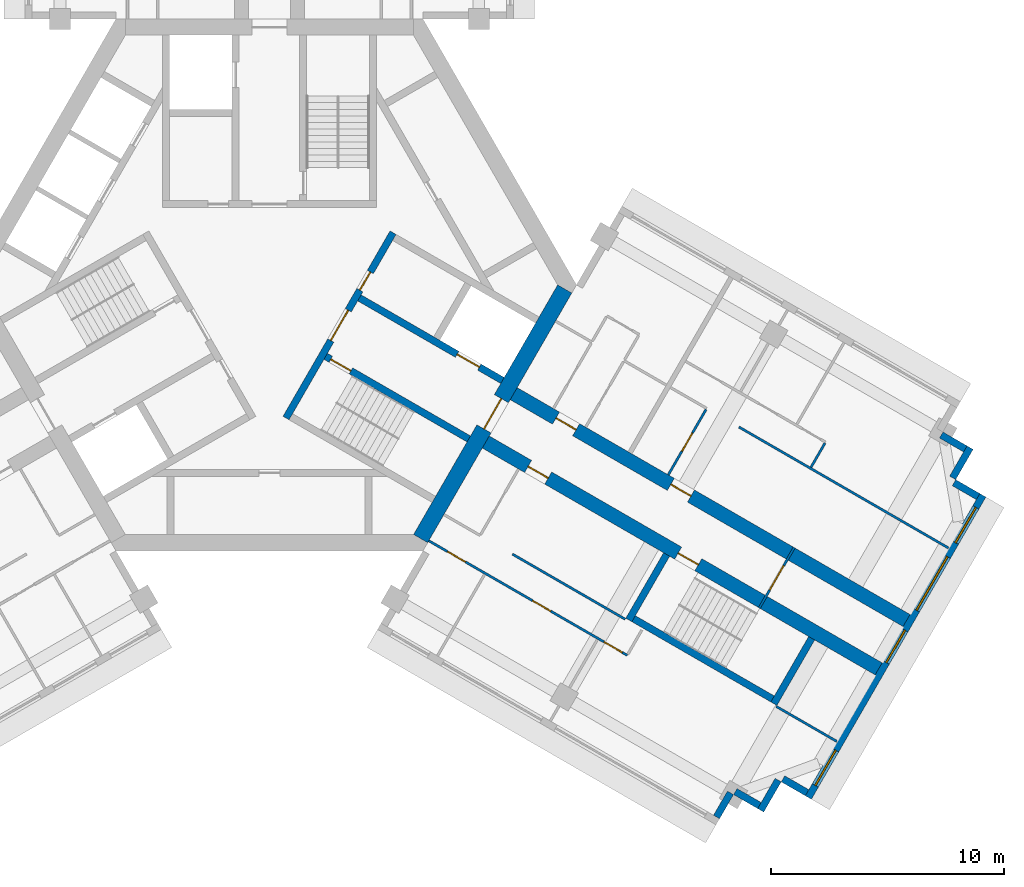
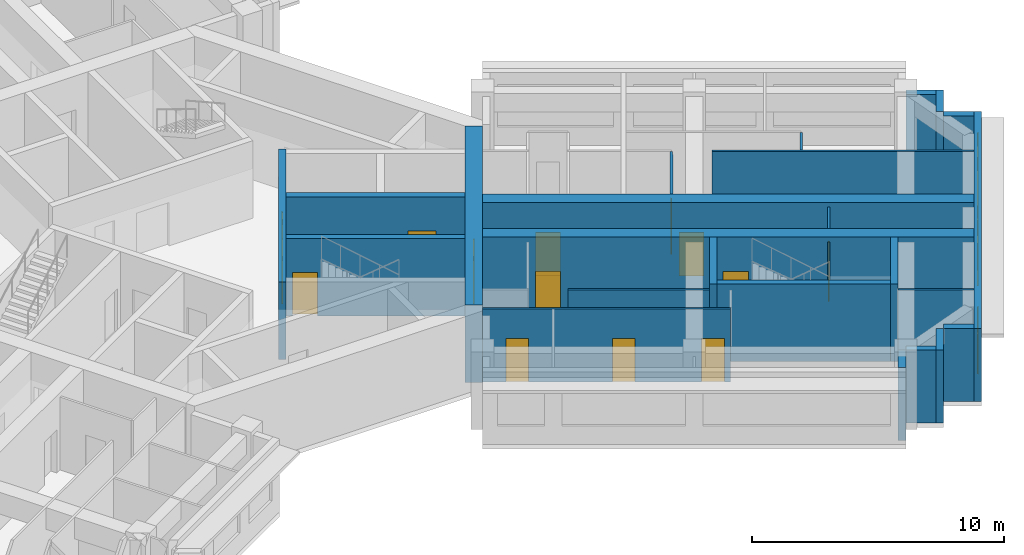
# One storey, part 5 of 10: 24 walls, 14 doors, 4 windows, 18 openings.
"""IFC4 building model written with IfcOpenShell, lengths in metres."""

from ifc_helpers import new_model, si_unit, direction, frame, frame_2d, origin, place, context, subcontext, project, spatial, rectangle, extrude, material, layer, layer_set, type_object, element, fill, save


model = new_model("IFC4")

# Units and contexts
model_context = context("Model", 3, precision=1e-05, world=origin(), true_north=direction((0.0, 1.0)))
body_context = subcontext(model_context, "Body", "Model", "MODEL_VIEW")
ifc_project = project(units=[si_unit("LENGTHUNIT", "METRE"), si_unit("AREAUNIT", "SQUARE_METRE"), si_unit("VOLUMEUNIT", "CUBIC_METRE"), si_unit("PLANEANGLEUNIT", "RADIAN"), si_unit("MASSUNIT", "GRAM", prefix="KILO")], contexts=[model_context])

# Site, building, storey
site_placement = place(None, origin())
site = spatial("IfcSite", under=ifc_project, at=site_placement, CompositionType="ELEMENT")
building_placement = place(site_placement, origin())
building = spatial("IfcBuilding", under=site, at=building_placement, Name="Impinga Residences", CompositionType="ELEMENT")
storey_placement = place(building_placement, frame((0.0, 0.0, 263.5)))
storey = spatial("IfcBuildingStorey", under=building, at=storey_placement, Name="L66", CompositionType="ELEMENT", Elevation=263.5)

# Wall, openings, doors
ifc_material_1 = material(Name="Concrete C60/75", Category="concrete")
ifc_layer_1 = layer(ifc_material_1, 0.60009765625)
ifc_layer_set_1 = layer_set([ifc_layer_1], Name="Concrete C60/75")
wall_type_1 = type_object("IfcWallType", Name="BW3 corridor buttress wall, L46 to L73 600", PredefinedType="SHEAR", material=ifc_layer_set_1)
wall_1_placement = place(storey_placement, frame((10.19677734375, -4.50146484375, 0.0), z_axis=(0.0, 0.0, 1.0), x_axis=(0.866025214745, -0.500000327426, 0.0)))
wall_1 = element("IfcWall", 1, at=wall_1_placement, inside=storey, type_object=wall_type_1, Name="Corridor wall BW3 EC L66", PredefinedType="SHEAR", context=body_context, shape_type="SweptSolid", body=[
    extrude(rectangle(XDim=19.85009765625, YDim=0.60009765625, at=frame_2d((9.925048828125, 0.0))), origin(), (0.0, 0.0, 1.0), 3.75),
])
opening_1_placement = place(wall_1_placement, frame((2.449951171875, 0.0, 0.0)))
opening_1 = element("IfcOpeningElement", 2, at=opening_1_placement, cuts=wall_1, Name="Opening D1", PredefinedType="OPENING", context=body_context, shape_type="SweptSolid", body=[
    extrude(rectangle(XDim=1.0, YDim=2.10009765625, at=frame_2d((0.5, 1.050048828125))), frame((0.0, 0.31005859375, 0.0), z_axis=(0.0, -1.0, 0.0), x_axis=(1.0, 0.0, 0.0)), (0.0, 0.0, 1.0), 0.6201171875),
])
opening_2_placement = place(wall_1_placement, frame((8.14990234375, 0.0, 0.0)))
opening_2 = element("IfcOpeningElement", 3, at=opening_2_placement, cuts=wall_1, Name="Opening D1", PredefinedType="OPENING", context=body_context, shape_type="SweptSolid", body=[
    extrude(rectangle(XDim=1.0, YDim=2.10009765625, at=frame_2d((0.5, 1.050048828125))), frame((0.0, 0.31005859375, 0.0), z_axis=(0.0, -1.0, 0.0), x_axis=(1.0, 0.0, 0.0)), (0.0, 0.0, 1.0), 0.6201171875),
])
ifc_material_2 = material(Name="Timber door set", Category="wood")
door_type_1 = type_object("IfcDoorType", Name="D1 apartment entrance door 1000x2100", OperationType="SINGLE_SWING_LEFT", PredefinedType="DOOR", material=ifc_material_2)
door_1_placement = place(opening_1_placement, origin())
door_1 = element("IfcDoor", 4, at=door_1_placement, inside=storey, type_object=door_type_1, Name="Apartment L66-EA1 entrance", OperationType="SINGLE_SWING_LEFT", OverallHeight=2.10009765625, OverallWidth=1.0, PredefinedType="DOOR", context=body_context, shape_type="SweptSolid", body=[
    extrude(rectangle(XDim=1.0, YDim=2.10009765625, at=frame_2d((0.5, 1.050048828125))), frame((0.0, 0.02490234375, 0.0), z_axis=(0.0, -1.0, 0.0), x_axis=(1.0, 0.0, 0.0)), (0.0, 0.0, 1.0), 0.050048828125),
])
fill(opening_1, door_1)
door_2_placement = place(opening_2_placement, origin())
door_2 = element("IfcDoor", 5, at=door_2_placement, inside=storey, type_object=door_type_1, Name="Apartment L66-EA2 entrance", OperationType="SINGLE_SWING_LEFT", OverallHeight=2.10009765625, OverallWidth=1.0, PredefinedType="DOOR", context=body_context, shape_type="SweptSolid", body=[
    extrude(rectangle(XDim=1.0, YDim=2.10009765625, at=frame_2d((0.5, 1.050048828125))), frame((0.0, 0.02490234375, 0.0), z_axis=(0.0, -1.0, 0.0), x_axis=(1.0, 0.0, 0.0)), (0.0, 0.0, 1.0), 0.050048828125),
])
fill(opening_2, door_2)

wall_2_placement = place(storey_placement, frame((8.996826171875, -6.580078125, 0.0), z_axis=(0.0, 0.0, 1.0), x_axis=(0.866030540451, -0.499991102927, 0.0)))
wall_2 = element("IfcWall", 6, at=wall_2_placement, inside=storey, type_object=wall_type_1, Name="Corridor wall BW3 ED L66", PredefinedType="SHEAR", context=body_context, shape_type="SweptSolid", body=[
    extrude(rectangle(XDim=19.849853515625, YDim=0.60009765625, at=frame_2d((9.9248046875, 0.0))), origin(), (0.0, 0.0, 1.0), 3.75),
])
opening_3_placement = place(wall_2_placement, frame((9.89990234375, 0.0, 0.0)))
opening_3 = element("IfcOpeningElement", 7, at=opening_3_placement, cuts=wall_2, Name="Opening D5", PredefinedType="OPENING", context=body_context, shape_type="SweptSolid", body=[
    extrude(rectangle(XDim=1.0, YDim=2.10009765625, at=frame_2d((0.5, 1.050048828125))), frame((0.0, 0.31005859375, 0.0), z_axis=(0.0, -1.0, 0.0), x_axis=(1.0, 0.0, 0.0)), (0.0, 0.0, 1.0), 0.6201171875),
])
opening_4_placement = place(wall_2_placement, frame((2.449951171875, 0.0, 0.0)))
opening_4 = element("IfcOpeningElement", 8, at=opening_4_placement, cuts=wall_2, Name="Opening D1", PredefinedType="OPENING", context=body_context, shape_type="SweptSolid", body=[
    extrude(rectangle(XDim=1.0, YDim=2.10009765625, at=frame_2d((0.5, 1.050048828125))), frame((0.0, 0.31005859375, 0.0), z_axis=(0.0, -1.0, 0.0), x_axis=(1.0, 0.0, 0.0)), (0.0, 0.0, 1.0), 0.6201171875),
])
door_3_placement = place(opening_4_placement, origin())
door_3 = element("IfcDoor", 9, at=door_3_placement, inside=storey, type_object=door_type_1, Name="Apartment L66-EF1 entrance", OperationType="SINGLE_SWING_LEFT", OverallHeight=2.10009765625, OverallWidth=1.0, PredefinedType="DOOR", context=body_context, shape_type="SweptSolid", body=[
    extrude(rectangle(XDim=1.0, YDim=2.10009765625, at=frame_2d((0.5, 1.050048828125))), frame((0.0, 0.02490234375, 0.0), z_axis=(0.0, -1.0, 0.0), x_axis=(1.0, 0.0, 0.0)), (0.0, 0.0, 1.0), 0.050048828125),
])
fill(opening_4, door_3)
door_type_2 = type_object("IfcDoorType", Name="D5 stair door 1000x2100", OperationType="SINGLE_SWING_LEFT", PredefinedType="DOOR", material=ifc_material_2)
door_4_placement = place(opening_3_placement, origin())
door_4 = element("IfcDoor", 10, at=door_4_placement, inside=storey, type_object=door_type_2, Name="Wing stair door E", OperationType="SINGLE_SWING_RIGHT", OverallHeight=2.10009765625, OverallWidth=1.0, PredefinedType="DOOR", context=body_context, shape_type="SweptSolid", body=[
    extrude(rectangle(XDim=1.0, YDim=2.10009765625, at=frame_2d((0.5, 1.050048828125))), frame((0.0, 0.02490234375, 0.0), z_axis=(0.0, -1.0, 0.0), x_axis=(1.0, 0.0, 0.0)), (0.0, 0.0, 1.0), 0.050048828125),
])
fill(opening_3, door_4)

# Wall, opening, door
ifc_material_3 = material(Name="Concrete blockwork", Category="masonry")
ifc_layer_2 = layer(ifc_material_3, 0.10009765625)
ifc_layer_set_2 = layer_set([ifc_layer_2], Name="CP1 core room partition, blockwork 100")
wall_type_2 = type_object("IfcWallType", Name="CP1 core room partition, blockwork 100", PredefinedType="PARTITIONING", material=ifc_layer_set_2)
wall_3_placement = place(storey_placement, frame((22.557861328125, -11.291748046875, 0.0), z_axis=(0.0, 0.0, 1.0), x_axis=(-0.499990139034, -0.866031096941, 0.0)))
wall_3 = element("IfcWall", 11, at=wall_3_placement, inside=storey, type_object=wall_type_2, Name="Core room partition, blockwork L66:E:LNG", PredefinedType="PARTITIONING", context=body_context, shape_type="SweptSolid", body=[
    extrude(rectangle(XDim=3.0, YDim=0.10009765625, at=frame_2d((1.5, 0.0))), origin(), (0.0, 0.0, 1.0), 3.530029296875),
])
opening_5_placement = place(wall_3_placement, frame((0.89990234375, 0.0, 0.0)))
opening_5 = element("IfcOpeningElement", 12, at=opening_5_placement, cuts=wall_3, Name="Opening D3", PredefinedType="OPENING", context=body_context, shape_type="SweptSolid", body=[
    extrude(rectangle(XDim=1.199951171875, YDim=2.10009765625, at=frame_2d((0.60009765625, 1.050048828125))), frame((0.0, 0.06005859375, 0.0), z_axis=(0.0, -1.0, 0.0), x_axis=(1.0, 0.0, 0.0)), (0.0, 0.0, 1.0), 0.1201171875),
])
door_type_3 = type_object("IfcDoorType", Name="D3 room door, leaf and a half 1200x2100", OperationType="DOUBLE_SWING_LEFT", PredefinedType="DOOR", material=ifc_material_2)
door_5_placement = place(opening_5_placement, origin())
door_5 = element("IfcDoor", 13, at=door_5_placement, inside=storey, type_object=door_type_3, Name="Residents' lounge door E", OperationType="DOUBLE_SWING_LEFT", OverallHeight=2.10009765625, OverallWidth=1.199951171875, PredefinedType="DOOR", context=body_context, shape_type="SweptSolid", body=[
    extrude(rectangle(XDim=1.199951171875, YDim=2.10009765625, at=frame_2d((0.60009765625, 1.050048828125))), frame((0.0, 0.02490234375, 0.0), z_axis=(0.0, -1.0, 0.0), x_axis=(1.0, 0.0, 0.0)), (0.0, 0.0, 1.0), 0.050048828125),
])
fill(opening_5, door_5)

# Walls
ifc_material_4 = material(Name="Terracotta rainscreen on blockwork", Category="masonry")
ifc_layer_3 = layer(ifc_material_4, 0.300048828125)
ifc_layer_set_3 = layer_set([ifc_layer_3], Name="EW1 external wall, terracotta rainscreen on blockwork 300")
wall_type_3 = type_object("IfcWallType", Name="EW1 external wall, terracotta rainscreen on blockwork 300", PredefinedType="SOLIDWALL", material=ifc_layer_set_3)
wall_4_placement = place(storey_placement, frame((28.878662109375, -6.453857421875, 0.0), z_axis=(0.0, 0.0, 1.0), x_axis=(0.865971243484, -0.500093796661, 0.0)))
element("IfcWall", 14, at=wall_4_placement, inside=storey, type_object=wall_type_3, Name="External wall EW1 L66", PredefinedType="SOLIDWALL", context=body_context, shape_type="SweptSolid", body=[
    extrude(rectangle(XDim=1.195068359375, YDim=0.300048828125, at=frame_2d((0.59765625, 0.0))), origin(), (0.0, 0.0, 1.0), 3.530029296875),
])
wall_5_placement = place(storey_placement, frame((30.118408203125, -6.99658203125, 0.0), z_axis=(0.0, 0.0, 1.0), x_axis=(-0.499990139034, -0.866031096941, 0.0)))
element("IfcWall", 15, at=wall_5_placement, inside=storey, type_object=wall_type_3, Name="External wall EW1 L66", PredefinedType="SOLIDWALL", context=body_context, shape_type="SweptSolid", body=[
    extrude(rectangle(XDim=1.5, YDim=0.300048828125, at=frame_2d((0.75, 0.0))), origin(), (0.0, 0.0, 1.0), 3.530029296875),
])
wall_6_placement = place(storey_placement, frame((29.427490234375, -8.5029296875, 0.0), z_axis=(0.0, 0.0, 1.0), x_axis=(0.865971243484, -0.500093796661, 0.0)))
element("IfcWall", 16, at=wall_6_placement, inside=storey, type_object=wall_type_3, Name="External wall EW1 L66", PredefinedType="SOLIDWALL", context=body_context, shape_type="SweptSolid", body=[
    extrude(rectangle(XDim=1.195068359375, YDim=0.300048828125, at=frame_2d((0.59765625, 0.0))), origin(), (0.0, 0.0, 1.0), 3.530029296875),
])

# Wall, openings, windows
wall_7_placement = place(storey_placement, frame((30.66748046875, -9.045654296875, 0.0), z_axis=(0.0, 0.0, 1.0), x_axis=(-0.500004234368, -0.866022959057, 0.0)))
wall_7 = element("IfcWall", 17, at=wall_7_placement, inside=storey, type_object=wall_type_3, Name="External wall EW1 L66", PredefinedType="SOLIDWALL", context=body_context, shape_type="SweptSolid", body=[
    extrude(rectangle(XDim=14.999755859375, YDim=0.300048828125, at=frame_2d((7.5, 0.0))), origin(), (0.0, 0.0, 1.0), 3.530029296875),
])
opening_6_placement = place(wall_7_placement, frame((0.60009765625, 0.0, 0.89990234375)))
opening_6 = element("IfcOpeningElement", 18, at=opening_6_placement, cuts=wall_7, Name="Opening W1", PredefinedType="OPENING", context=body_context, shape_type="SweptSolid", body=[
    extrude(rectangle(XDim=1.75, YDim=2.050048828125, at=frame_2d((0.875, 1.02490234375))), frame((0.0, 0.159912109375, 0.0), z_axis=(0.0, -1.0, 0.0), x_axis=(1.0, 0.0, 0.0)), (0.0, 0.0, 1.0), 0.320068359375),
])
opening_7_placement = place(wall_7_placement, frame((3.050048828125, 0.0, 0.89990234375)))
opening_7 = element("IfcOpeningElement", 19, at=opening_7_placement, cuts=wall_7, Name="Opening W18", PredefinedType="OPENING", context=body_context, shape_type="SweptSolid", body=[
    extrude(rectangle(XDim=2.64990234375, YDim=2.050048828125, at=frame_2d((1.324951171875, 1.02490234375))), frame((0.0, 0.159912109375, 0.0), z_axis=(0.0, -1.0, 0.0), x_axis=(1.0, 0.0, 0.0)), (0.0, 0.0, 1.0), 0.320068359375),
])
opening_8_placement = place(wall_7_placement, frame((6.699951171875, 0.0, 0.89990234375)))
opening_8 = element("IfcOpeningElement", 20, at=opening_8_placement, cuts=wall_7, Name="Opening W19", PredefinedType="OPENING", context=body_context, shape_type="SweptSolid", body=[
    extrude(rectangle(XDim=1.60009765625, YDim=2.050048828125, at=frame_2d((0.800048828125, 1.02490234375))), frame((0.0, 0.159912109375, 0.0), z_axis=(0.0, -1.0, 0.0), x_axis=(1.0, 0.0, 0.0)), (0.0, 0.0, 1.0), 0.320068359375),
])
opening_9_placement = place(wall_7_placement, frame((12.64990234375, 0.0, 0.89990234375)))
opening_9 = element("IfcOpeningElement", 21, at=opening_9_placement, cuts=wall_7, Name="Opening W1", PredefinedType="OPENING", context=body_context, shape_type="SweptSolid", body=[
    extrude(rectangle(XDim=1.75, YDim=2.050048828125, at=frame_2d((0.875, 1.02490234375))), frame((0.0, 0.159912109375, 0.0), z_axis=(0.0, -1.0, 0.0), x_axis=(1.0, 0.0, 0.0)), (0.0, 0.0, 1.0), 0.320068359375),
])
ifc_material_5 = material(Name="Aluminium window, clear double glazing", Category="aluminium")
window_type_1 = type_object("IfcWindowType", Name="W1 ribbon window 1750x2050", PartitioningType="SINGLE_PANEL", PredefinedType="WINDOW", material=ifc_material_5)
window_1_placement = place(opening_6_placement, origin())
window_1 = element("IfcWindow", 22, at=window_1_placement, inside=storey, type_object=window_type_1, Name="Window L66", OverallHeight=2.050048828125, OverallWidth=1.75, PartitioningType="SINGLE_PANEL", PredefinedType="WINDOW", context=body_context, shape_type="SweptSolid", body=[
    extrude(rectangle(XDim=1.75, YDim=2.050048828125, at=frame_2d((0.875, 1.02490234375))), frame((0.0, 0.030029296875, 0.0), z_axis=(0.0, -1.0, 0.0), x_axis=(1.0, 0.0, 0.0)), (0.0, 0.0, 1.0), 0.06005859375),
])
fill(opening_6, window_1)
window_2_placement = place(opening_9_placement, origin())
window_2 = element("IfcWindow", 23, at=window_2_placement, inside=storey, type_object=window_type_1, Name="Window L66", OverallHeight=2.050048828125, OverallWidth=1.75, PartitioningType="SINGLE_PANEL", PredefinedType="WINDOW", context=body_context, shape_type="SweptSolid", body=[
    extrude(rectangle(XDim=1.75, YDim=2.050048828125, at=frame_2d((0.875, 1.02490234375))), frame((0.0, 0.030029296875, 0.0), z_axis=(0.0, -1.0, 0.0), x_axis=(1.0, 0.0, 0.0)), (0.0, 0.0, 1.0), 0.06005859375),
])
fill(opening_9, window_2)
window_type_2 = type_object("IfcWindowType", Name="W18 ribbon window 2650x2050", PartitioningType="SINGLE_PANEL", PredefinedType="WINDOW", material=ifc_material_5)
window_3_placement = place(opening_7_placement, origin())
window_3 = element("IfcWindow", 24, at=window_3_placement, inside=storey, type_object=window_type_2, Name="Window L66", OverallHeight=2.050048828125, OverallWidth=2.64990234375, PartitioningType="SINGLE_PANEL", PredefinedType="WINDOW", context=body_context, shape_type="SweptSolid", body=[
    extrude(rectangle(XDim=2.64990234375, YDim=2.050048828125, at=frame_2d((1.324951171875, 1.02490234375))), frame((0.0, 0.030029296875, 0.0), z_axis=(0.0, -1.0, 0.0), x_axis=(1.0, 0.0, 0.0)), (0.0, 0.0, 1.0), 0.06005859375),
])
fill(opening_7, window_3)
window_type_3 = type_object("IfcWindowType", Name="W19 ribbon window 1600x2050", PartitioningType="SINGLE_PANEL", PredefinedType="WINDOW", material=ifc_material_5)
window_4_placement = place(opening_8_placement, origin())
window_4 = element("IfcWindow", 25, at=window_4_placement, inside=storey, type_object=window_type_3, Name="Window L66", OverallHeight=2.050048828125, OverallWidth=1.60009765625, PartitioningType="SINGLE_PANEL", PredefinedType="WINDOW", context=body_context, shape_type="SweptSolid", body=[
    extrude(rectangle(XDim=1.60009765625, YDim=2.050048828125, at=frame_2d((0.800048828125, 1.02490234375))), frame((0.0, 0.030029296875, 0.0), z_axis=(0.0, -1.0, 0.0), x_axis=(1.0, 0.0, 0.0)), (0.0, 0.0, 1.0), 0.06005859375),
])
fill(opening_8, window_4)

# Walls
wall_8_placement = place(storey_placement, frame((23.112548828125, -21.8310546875, 0.0), z_axis=(0.0, 0.0, 1.0), x_axis=(-0.866059708757, 0.499940577336, 0.0)))
element("IfcWall", 26, at=wall_8_placement, inside=storey, type_object=wall_type_3, Name="External wall EW1 L66", PredefinedType="SOLIDWALL", context=body_context, shape_type="SweptSolid", body=[
    extrude(rectangle(XDim=1.195068359375, YDim=0.300048828125, at=frame_2d((0.59765625, 0.0))), origin(), (0.0, 0.0, 1.0), 3.530029296875),
])
wall_9_placement = place(storey_placement, frame((21.868408203125, -21.285888671875, 0.0), z_axis=(0.0, 0.0, 1.0), x_axis=(-0.499990139034, -0.866031096941, 0.0)))
element("IfcWall", 27, at=wall_9_placement, inside=storey, type_object=wall_type_3, Name="External wall EW1 L66", PredefinedType="SOLIDWALL", context=body_context, shape_type="SweptSolid", body=[
    extrude(rectangle(XDim=1.5, YDim=0.300048828125, at=frame_2d((0.75, 0.0))), origin(), (0.0, 0.0, 1.0), 3.530029296875),
])
wall_10_placement = place(storey_placement, frame((21.0634765625, -22.380126953125, 0.0), z_axis=(0.0, 0.0, 1.0), x_axis=(-0.865971243484, 0.500093796661, 0.0)))
element("IfcWall", 28, at=wall_10_placement, inside=storey, type_object=wall_type_3, Name="External wall EW1 L66", PredefinedType="SOLIDWALL", context=body_context, shape_type="SweptSolid", body=[
    extrude(rectangle(XDim=1.195068359375, YDim=0.300048828125, at=frame_2d((0.59765625, 0.0))), origin(), (0.0, 0.0, 1.0), 3.530029296875),
])
wall_11_placement = place(storey_placement, frame((19.8193359375, -21.8349609375, 0.0), z_axis=(0.0, 0.0, 1.0), x_axis=(-0.500033551112, -0.866006032174, 0.0)))
element("IfcWall", 29, at=wall_11_placement, inside=storey, type_object=wall_type_3, Name="External wall EW1 L66", PredefinedType="SOLIDWALL", context=body_context, shape_type="SweptSolid", body=[
    extrude(rectangle(XDim=1.2001953125, YDim=0.300048828125, at=frame_2d((0.60009765625, 0.0))), origin(), (0.0, 0.0, 1.0), 3.530029296875),
])
ifc_material_6 = material(Name="Gypsum board on steel studs", Category="steel")
ifc_layer_4 = layer(ifc_material_6, 0.10009765625)
ifc_layer_set_4 = layer_set([ifc_layer_4], Name="Gypsum board on steel studs")
wall_type_4 = type_object("IfcWallType", Name="IP1 partition 100", PredefinedType="PARTITIONING", material=ifc_layer_set_4)
wall_12_placement = place(storey_placement, frame((20.180908203125, -6.10888671875, 0.0), z_axis=(0.0, 0.0, 1.0), x_axis=(0.866025696342, -0.499999493275, 0.0)))
element("IfcWall", 30, at=wall_12_placement, inside=storey, type_object=wall_type_4, Name="Partition L66-EA2:DIV1", PredefinedType="PARTITIONING", context=body_context, shape_type="SweptSolid", body=[
    extrude(rectangle(XDim=10.39990234375, YDim=0.10009765625, at=frame_2d((5.199951171875, 0.0))), origin(), (0.0, 0.0, 1.0), 3.530029296875),
])
wall_13_placement = place(storey_placement, frame((23.2802734375, -7.840576171875, 0.0), z_axis=(0.0, 0.0, 1.0), x_axis=(0.499880961361, 0.866094119867, 0.0)))
element("IfcWall", 31, at=wall_13_placement, inside=storey, type_object=wall_type_4, Name="Partition L66-EA2:SE1", PredefinedType="PARTITIONING", context=body_context, shape_type="SweptSolid", body=[
    extrude(rectangle(XDim=1.199951171875, YDim=0.10009765625, at=frame_2d((0.60009765625, 0.0))), origin(), (0.0, 0.0, 1.0), 3.530029296875),
])

# Wall, opening, door
wall_14_placement = place(storey_placement, frame((17.145263671875, -8.166748046875, 0.0), z_axis=(0.0, 0.0, 1.0), x_axis=(0.499984717929, 0.866034226713, 0.0)))
wall_14 = element("IfcWall", 32, at=wall_14_placement, inside=storey, type_object=wall_type_4, Name="Partition L66-EA2:IB1", PredefinedType="PARTITIONING", context=body_context, shape_type="SweptSolid", body=[
    extrude(rectangle(XDim=3.25, YDim=0.10009765625, at=frame_2d((1.625, 0.0))), origin(), (0.0, 0.0, 1.0), 3.530029296875),
])
opening_10_placement = place(wall_14_placement, frame((1.175048828125, 0.0, 0.0)))
opening_10 = element("IfcOpeningElement", 33, at=opening_10_placement, cuts=wall_14, Name="Opening D2", PredefinedType="OPENING", context=body_context, shape_type="SweptSolid", body=[
    extrude(rectangle(XDim=0.89990234375, YDim=2.10009765625, at=frame_2d((0.449951171875, 1.050048828125))), frame((0.0, 0.06005859375, 0.0), z_axis=(0.0, -1.0, 0.0), x_axis=(1.0, 0.0, 0.0)), (0.0, 0.0, 1.0), 0.1201171875),
])
door_type_4 = type_object("IfcDoorType", Name="D2 internal door 900x2100", OperationType="SINGLE_SWING_LEFT", PredefinedType="DOOR", material=ifc_material_2)
door_6_placement = place(opening_10_placement, origin())
door_6 = element("IfcDoor", 34, at=door_6_placement, inside=storey, type_object=door_type_4, Name="Apartment L66-EA2 bathroom door", OperationType="SINGLE_SWING_LEFT", OverallHeight=2.10009765625, OverallWidth=0.89990234375, PredefinedType="DOOR", context=body_context, shape_type="SweptSolid", body=[
    extrude(rectangle(XDim=0.89990234375, YDim=2.10009765625, at=frame_2d((0.449951171875, 1.050048828125))), frame((0.0, 0.02490234375, 0.0), z_axis=(0.0, -1.0, 0.0), x_axis=(1.0, 0.0, 0.0)), (0.0, 0.0, 1.0), 0.050048828125),
])
fill(opening_10, door_6)

# Walls
wall_15_placement = place(storey_placement, frame((10.444580078125, -11.57275390625, 0.0), z_axis=(0.0, 0.0, 1.0), x_axis=(0.866015695474, -0.500016814911, 0.0)))
element("IfcWall", 35, at=wall_15_placement, inside=storey, type_object=wall_type_4, Name="Partition L66-EF1:DIV1", PredefinedType="PARTITIONING", context=body_context, shape_type="SweptSolid", body=[
    extrude(rectangle(XDim=5.599853515625, YDim=0.10009765625, at=frame_2d((2.7998046875, 0.0))), origin(), (0.0, 0.0, 1.0), 3.530029296875),
])
wall_16_placement = place(storey_placement, frame((21.789306640625, -18.122802734375, 0.0), z_axis=(0.0, 0.0, 1.0), x_axis=(0.866031096941, -0.499990139034, 0.0)))
element("IfcWall", 36, at=wall_16_placement, inside=storey, type_object=wall_type_4, Name="Partition L66-EF1:DIV2", PredefinedType="PARTITIONING", context=body_context, shape_type="SweptSolid", body=[
    extrude(rectangle(XDim=3.0, YDim=0.10009765625, at=frame_2d((1.5, 0.0))), origin(), (0.0, 0.0, 1.0), 3.530029296875),
])

# Wall, openings, doors
wall_17_placement = place(storey_placement, frame((6.85009765625, -10.99853515625, 0.0), z_axis=(0.0, 0.0, 1.0), x_axis=(0.866021308241, -0.500007093622, 0.0)))
wall_17 = element("IfcWall", 37, at=wall_17_placement, inside=storey, type_object=wall_type_4, Name="Partition L66-EF1:STRIP", PredefinedType="PARTITIONING", context=body_context, shape_type="SweptSolid", body=[
    extrude(rectangle(XDim=9.849853515625, YDim=0.10009765625, at=frame_2d((4.9248046875, 0.0))), origin(), (0.0, 0.0, 1.0), 3.530029296875),
])
opening_11_placement = place(wall_17_placement, frame((0.925048828125, 0.0, 0.0)))
opening_11 = element("IfcOpeningElement", 38, at=opening_11_placement, cuts=wall_17, Name="Opening D2", PredefinedType="OPENING", context=body_context, shape_type="SweptSolid", body=[
    extrude(rectangle(XDim=0.89990234375, YDim=2.10009765625, at=frame_2d((0.449951171875, 1.050048828125))), frame((0.0, 0.06005859375, 0.0), z_axis=(0.0, -1.0, 0.0), x_axis=(1.0, 0.0, 0.0)), (0.0, 0.0, 1.0), 0.1201171875),
])
opening_12_placement = place(wall_17_placement, frame((5.14990234375, 0.0, 0.0)))
opening_12 = element("IfcOpeningElement", 39, at=opening_12_placement, cuts=wall_17, Name="Opening D2", PredefinedType="OPENING", context=body_context, shape_type="SweptSolid", body=[
    extrude(rectangle(XDim=0.89990234375, YDim=2.10009765625, at=frame_2d((0.449951171875, 1.050048828125))), frame((0.0, 0.06005859375, 0.0), z_axis=(0.0, -1.0, 0.0), x_axis=(1.0, 0.0, 0.0)), (0.0, 0.0, 1.0), 0.1201171875),
])
opening_13_placement = place(wall_17_placement, frame((8.699951171875, 0.0, 0.0)))
opening_13 = element("IfcOpeningElement", 40, at=opening_13_placement, cuts=wall_17, Name="Opening D2", PredefinedType="OPENING", context=body_context, shape_type="SweptSolid", body=[
    extrude(rectangle(XDim=0.89990234375, YDim=2.10009765625, at=frame_2d((0.449951171875, 1.050048828125))), frame((0.0, 0.06005859375, 0.0), z_axis=(0.0, -1.0, 0.0), x_axis=(1.0, 0.0, 0.0)), (0.0, 0.0, 1.0), 0.1201171875),
])
door_7_placement = place(opening_11_placement, origin())
door_7 = element("IfcDoor", 41, at=door_7_placement, inside=storey, type_object=door_type_4, Name="Apartment L66-EF1 room door", OperationType="SINGLE_SWING_LEFT", OverallHeight=2.10009765625, OverallWidth=0.89990234375, PredefinedType="DOOR", context=body_context, shape_type="SweptSolid", body=[
    extrude(rectangle(XDim=0.89990234375, YDim=2.10009765625, at=frame_2d((0.449951171875, 1.050048828125))), frame((0.0, 0.02490234375, 0.0), z_axis=(0.0, -1.0, 0.0), x_axis=(1.0, 0.0, 0.0)), (0.0, 0.0, 1.0), 0.050048828125),
])
fill(opening_11, door_7)
door_8_placement = place(opening_12_placement, origin())
door_8 = element("IfcDoor", 42, at=door_8_placement, inside=storey, type_object=door_type_4, Name="Apartment L66-EF1 room door", OperationType="SINGLE_SWING_RIGHT", OverallHeight=2.10009765625, OverallWidth=0.89990234375, PredefinedType="DOOR", context=body_context, shape_type="SweptSolid", body=[
    extrude(rectangle(XDim=0.89990234375, YDim=2.10009765625, at=frame_2d((0.449951171875, 1.050048828125))), frame((0.0, 0.02490234375, 0.0), z_axis=(0.0, -1.0, 0.0), x_axis=(1.0, 0.0, 0.0)), (0.0, 0.0, 1.0), 0.050048828125),
])
fill(opening_12, door_8)
door_9_placement = place(opening_13_placement, origin())
door_9 = element("IfcDoor", 43, at=door_9_placement, inside=storey, type_object=door_type_4, Name="Apartment L66-EF1 room door", OperationType="SINGLE_SWING_RIGHT", OverallHeight=2.10009765625, OverallWidth=0.89990234375, PredefinedType="DOOR", context=body_context, shape_type="SweptSolid", body=[
    extrude(rectangle(XDim=0.89990234375, YDim=2.10009765625, at=frame_2d((0.449951171875, 1.050048828125))), frame((0.0, 0.02490234375, 0.0), z_axis=(0.0, -1.0, 0.0), x_axis=(1.0, 0.0, 0.0)), (0.0, 0.0, 1.0), 0.050048828125),
])
fill(opening_13, door_9)

# Walls
ifc_layer_5 = layer(ifc_material_1, 0.300048828125)
ifc_layer_set_5 = layer_set([ifc_layer_5], Name="Concrete C60/75")
wall_type_5 = type_object("IfcWallType", Name="SE1 wing stair enclosure wall 300", PredefinedType="SOLIDWALL", material=ifc_layer_set_5)
for number, where, z_axis, x_axis, name in (
    (44, (17.07421875, -11.58984375, 0.0), (0.0, 0.0, 1.0), (-0.500017246033, -0.866015446554, 0.0), "Stair enclosure wall SE1 E END0 L66"),
    (45, (23.3095703125, -15.189697265625, 0.0), (0.0, 0.0, 1.0), (-0.499984717929, -0.866034226713, 0.0), "Stair enclosure wall SE1 E END1 L66"),
):
    element("IfcWall", number, at=place(storey_placement, frame(where, z_axis=z_axis, x_axis=x_axis)), inside=storey, type_object=wall_type_5, Name=name, PredefinedType="SOLIDWALL", context=body_context, shape_type="SweptSolid", body=[
        extrude(rectangle(XDim=3.25, YDim=0.300048828125, at=frame_2d((1.625, 0.0))), origin(), (0.0, 0.0, 1.0), 3.75),
    ])
wall_18_placement = place(storey_placement, frame((15.654052734375, -14.349365234375, 0.0), z_axis=(0.0, 0.0, 1.0), x_axis=(0.866013532718, -0.500020560727, 0.0)))
element("IfcWall", 46, at=wall_18_placement, inside=storey, type_object=wall_type_5, Name="Stair enclosure wall SE1 E OUT L66", PredefinedType="SOLIDWALL", context=body_context, shape_type="SweptSolid", body=[
    extrude(rectangle(XDim=6.900146484375, YDim=0.300048828125, at=frame_2d((3.4501953125, 0.0))), origin(), (0.0, 0.0, 1.0), 3.75),
])

# Wall, opening, door
ifc_layer_6 = layer(ifc_material_1, 0.699951171875)
ifc_layer_set_6 = layer_set([ifc_layer_6], Name="Concrete C60/75")
wall_type_6 = type_object("IfcWallType", Name="SW3 core wall 700", PredefinedType="SHEAR", material=ifc_layer_set_6)
wall_19_placement = place(storey_placement, frame((12.69482421875, -0.175048828125, 0.0), z_axis=(0.0, 0.0, 1.0), x_axis=(-0.499999875397, -0.866025475724, 0.0)))
wall_19 = element("IfcWall", 47, at=wall_19_placement, inside=storey, type_object=wall_type_6, Name="Core wall SW3 E:FACE L66", PredefinedType="SHEAR", context=body_context, shape_type="SweptSolid", body=[
    extrude(rectangle(XDim=12.3916015625, YDim=0.699951171875, at=frame_2d((6.19580078125, 0.0))), origin(), (0.0, 0.0, 1.0), 3.75),
])
opening_14_placement = place(wall_19_placement, frame((5.44580078125, 0.0, 0.0)))
opening_14 = element("IfcOpeningElement", 48, at=opening_14_placement, cuts=wall_19, Name="Opening D4", PredefinedType="OPENING", context=body_context, shape_type="SweptSolid", body=[
    extrude(rectangle(XDim=1.5, YDim=2.10009765625, at=frame_2d((0.75, 1.050048828125))), frame((0.0, 0.35986328125, 0.0), z_axis=(0.0, -1.0, 0.0), x_axis=(1.0, 0.0, 0.0)), (0.0, 0.0, 1.0), 0.719970703125),
])
door_type_5 = type_object("IfcDoorType", Name="D4 lobby door pair 1500x2100", OperationType="DOUBLE_DOOR_DOUBLE_SWING", PredefinedType="DOOR", material=ifc_material_2)
door_10_placement = place(opening_14_placement, origin())
door_10 = element("IfcDoor", 49, at=door_10_placement, inside=storey, type_object=door_type_5, Name="Lobby door E", OperationType="DOUBLE_DOOR_DOUBLE_SWING", OverallHeight=2.10009765625, OverallWidth=1.5, PredefinedType="DOOR", context=body_context, shape_type="SweptSolid", body=[
    extrude(rectangle(XDim=1.5, YDim=2.10009765625, at=frame_2d((0.75, 1.050048828125))), frame((0.0, 0.02490234375, 0.0), z_axis=(0.0, -1.0, 0.0), x_axis=(1.0, 0.0, 0.0)), (0.0, 0.0, 1.0), 0.050048828125),
])
fill(opening_14, door_10)

# Wall, openings, doors
ifc_material_7 = material(Name="Concrete C70/85", Category="concrete")
ifc_layer_7 = layer(ifc_material_7, 0.300048828125)
ifc_layer_set_7 = layer_set([ifc_layer_7], Name="Concrete C70/85")
wall_type_7 = type_object("IfcWallType", Name="SW5 core inner wall, stairs, shafts and lobbies 300", PredefinedType="SHEAR", material=ifc_layer_set_7)
wall_20_placement = place(storey_placement, frame((5.313720703125, 2.24365234375, 0.0), z_axis=(0.0, 0.0, 1.0), x_axis=(-0.499995050369, -0.866028261437, 0.0)))
wall_20 = element("IfcWall", 50, at=wall_20_placement, inside=storey, type_object=wall_type_7, Name="Core wall SW5 E:ZONE L66", PredefinedType="SHEAR", context=body_context, shape_type="SweptSolid", body=[
    extrude(rectangle(XDim=9.19970703125, YDim=0.300048828125, at=frame_2d((4.599853515625, 0.0))), origin(), (0.0, 0.0, 1.0), 3.75),
])
opening_15_placement = place(wall_20_placement, frame((3.85009765625, 0.0, 0.0)))
opening_15 = element("IfcOpeningElement", 51, at=opening_15_placement, cuts=wall_20, Name="Opening D4", PredefinedType="OPENING", context=body_context, shape_type="SweptSolid", body=[
    extrude(rectangle(XDim=1.5, YDim=2.10009765625, at=frame_2d((0.75, 1.050048828125))), frame((0.0, 0.159912109375, 0.0), z_axis=(0.0, -1.0, 0.0), x_axis=(1.0, 0.0, 0.0)), (0.0, 0.0, 1.0), 0.320068359375),
])
opening_16_placement = place(wall_20_placement, frame((1.949951171875, 0.0, 0.0)))
opening_16 = element("IfcOpeningElement", 52, at=opening_16_placement, cuts=wall_20, Name="Opening D6", PredefinedType="OPENING", context=body_context, shape_type="SweptSolid", body=[
    extrude(rectangle(XDim=0.89990234375, YDim=2.10009765625, at=frame_2d((0.449951171875, 1.050048828125))), frame((0.0, 0.159912109375, 0.0), z_axis=(0.0, -1.0, 0.0), x_axis=(1.0, 0.0, 0.0)), (0.0, 0.0, 1.0), 0.320068359375),
])
door_11_placement = place(opening_15_placement, origin())
door_11 = element("IfcDoor", 53, at=door_11_placement, inside=storey, type_object=door_type_5, Name="Firefighting lobby door E", OperationType="DOUBLE_DOOR_DOUBLE_SWING", OverallHeight=2.10009765625, OverallWidth=1.5, PredefinedType="DOOR", context=body_context, shape_type="SweptSolid", body=[
    extrude(rectangle(XDim=1.5, YDim=2.10009765625, at=frame_2d((0.75, 1.050048828125))), frame((0.0, 0.02490234375, 0.0), z_axis=(0.0, -1.0, 0.0), x_axis=(1.0, 0.0, 0.0)), (0.0, 0.0, 1.0), 0.050048828125),
])
fill(opening_15, door_11)
door_type_6 = type_object("IfcDoorType", Name="D6 riser and store door 900x2100", OperationType="SINGLE_SWING_LEFT", PredefinedType="DOOR", material=ifc_material_2)
door_12_placement = place(opening_16_placement, origin())
door_12 = element("IfcDoor", 54, at=door_12_placement, inside=storey, type_object=door_type_6, Name="Riser door E", OperationType="SINGLE_SWING_LEFT", OverallHeight=2.10009765625, OverallWidth=0.89990234375, PredefinedType="DOOR", context=body_context, shape_type="SweptSolid", body=[
    extrude(rectangle(XDim=0.89990234375, YDim=2.10009765625, at=frame_2d((0.449951171875, 1.050048828125))), frame((0.0, 0.02490234375, 0.0), z_axis=(0.0, -1.0, 0.0), x_axis=(1.0, 0.0, 0.0)), (0.0, 0.0, 1.0), 0.050048828125),
])
fill(opening_16, door_12)

# Wall, opening, door
wall_21_placement = place(storey_placement, frame((2.418701171875, -3.07080078125, 0.0), z_axis=(0.0, 0.0, 1.0), x_axis=(0.866025859768, -0.499999210213, 0.0)))
wall_21 = element("IfcWall", 55, at=wall_21_placement, inside=storey, type_object=wall_type_7, Name="Core wall SW5 E:ST-IN L66", PredefinedType="SHEAR", context=body_context, shape_type="SweptSolid", body=[
    extrude(rectangle(XDim=7.1015625, YDim=0.300048828125, at=frame_2d((3.55078125, 0.0))), origin(), (0.0, 0.0, 1.0), 3.75),
])
opening_17_placement = place(wall_21_placement, frame((0.25, 0.0, 0.0)))
opening_17 = element("IfcOpeningElement", 56, at=opening_17_placement, cuts=wall_21, Name="Opening D5", PredefinedType="OPENING", context=body_context, shape_type="SweptSolid", body=[
    extrude(rectangle(XDim=1.0, YDim=2.10009765625, at=frame_2d((0.5, 1.050048828125))), frame((0.0, 0.159912109375, 0.0), z_axis=(0.0, -1.0, 0.0), x_axis=(1.0, 0.0, 0.0)), (0.0, 0.0, 1.0), 0.320068359375),
])
door_13_placement = place(opening_17_placement, origin())
door_13 = element("IfcDoor", 57, at=door_13_placement, inside=storey, type_object=door_type_2, Name="Stair door E", OperationType="SINGLE_SWING_LEFT", OverallHeight=2.10009765625, OverallWidth=1.0, PredefinedType="DOOR", context=body_context, shape_type="SweptSolid", body=[
    extrude(rectangle(XDim=1.0, YDim=2.10009765625, at=frame_2d((0.5, 1.050048828125))), frame((0.0, 0.02490234375, 0.0), z_axis=(0.0, -1.0, 0.0), x_axis=(1.0, 0.0, 0.0)), (0.0, 0.0, 1.0), 0.050048828125),
])
fill(opening_17, door_13)

wall_22_placement = place(storey_placement, frame((3.86865234375, -0.559326171875, 0.0), z_axis=(0.0, 0.0, 1.0), x_axis=(0.866025859768, -0.499999210213, 0.0)))
wall_22 = element("IfcWall", 58, at=wall_22_placement, inside=storey, type_object=wall_type_7, Name="Core wall SW5 E:FF-IN L66", PredefinedType="SHEAR", context=body_context, shape_type="SweptSolid", body=[
    extrude(rectangle(XDim=7.1015625, YDim=0.300048828125, at=frame_2d((3.55078125, 0.0))), origin(), (0.0, 0.0, 1.0), 3.75),
])
opening_18_placement = place(wall_22_placement, frame((4.85009765625, 0.0, 0.0)))
opening_18 = element("IfcOpeningElement", 59, at=opening_18_placement, cuts=wall_22, Name="Opening LD2", PredefinedType="OPENING", context=body_context, shape_type="SweptSolid", body=[
    extrude(rectangle(XDim=1.10009765625, YDim=2.10009765625, at=frame_2d((0.550048828125, 1.050048828125))), frame((0.0, 0.159912109375, 0.0), z_axis=(0.0, -1.0, 0.0), x_axis=(1.0, 0.0, 0.0)), (0.0, 0.0, 1.0), 0.320068359375),
])
ifc_material_8 = material(Name="Steel lift landing door", Category="steel")
door_type_7 = type_object("IfcDoorType", Name="LD2 firefighting lift landing door 1100x2100", OperationType="DOUBLE_DOOR_SLIDING", PredefinedType="DOOR", material=ifc_material_8)
door_14_placement = place(opening_18_placement, origin())
door_14 = element("IfcDoor", 60, at=door_14_placement, inside=storey, type_object=door_type_7, Name="Firefighting lift landing door F3", OperationType="DOUBLE_DOOR_SLIDING", OverallHeight=2.10009765625, OverallWidth=1.10009765625, PredefinedType="DOOR", context=body_context, shape_type="SweptSolid", body=[
    extrude(rectangle(XDim=1.10009765625, YDim=2.10009765625, at=frame_2d((0.550048828125, 1.050048828125))), frame((0.0, 0.02490234375, 0.0), z_axis=(0.0, -1.0, 0.0), x_axis=(1.0, 0.0, 0.0)), (0.0, 0.0, 1.0), 0.050048828125),
])
fill(opening_18, door_14)

save(model, "model.ifc")
